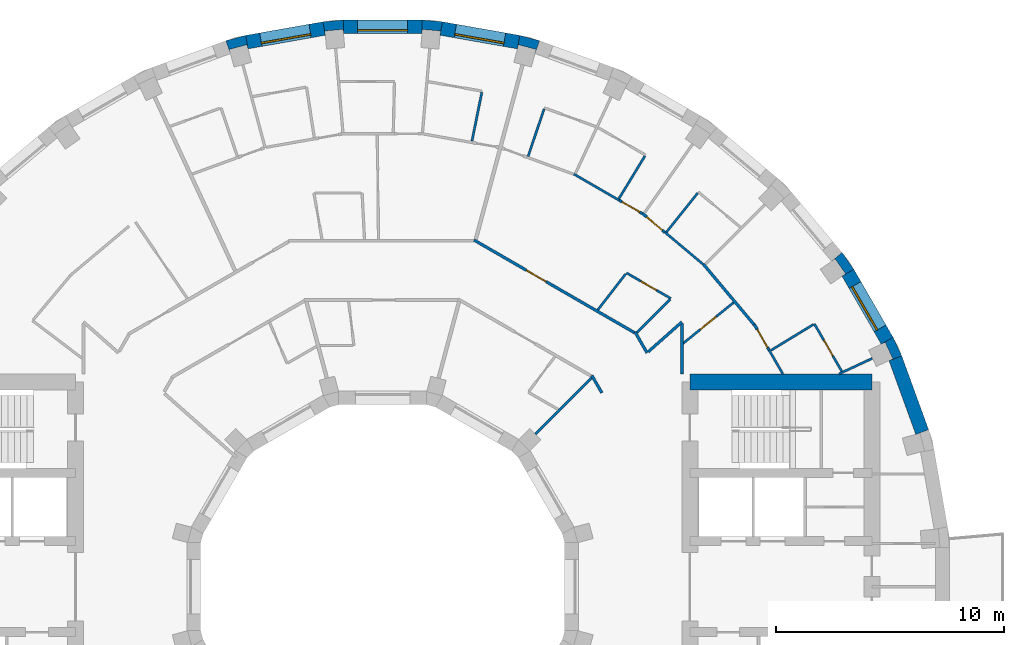
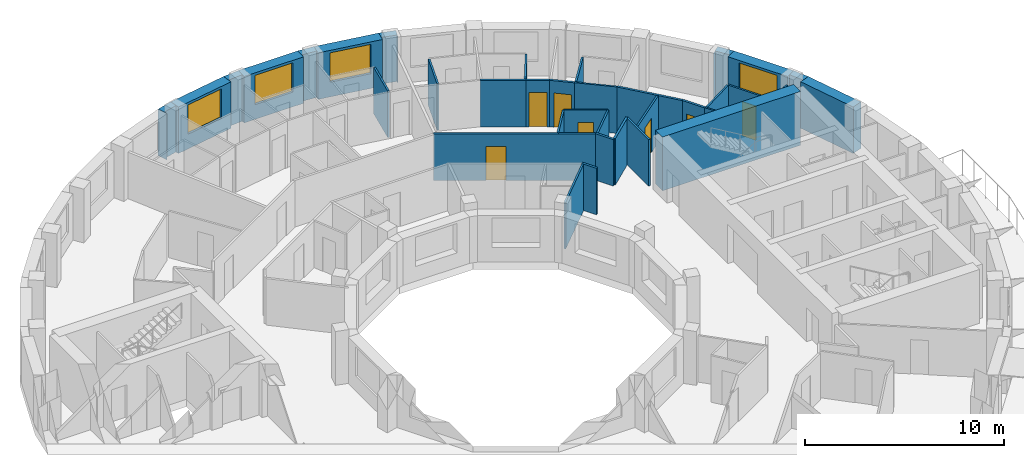
# One storey, part 12 of 14: 36 walls, 7 doors, 4 windows, 11 openings.
"""IFC4 building model written with IfcOpenShell, lengths in metres."""

from ifc_helpers import new_model, si_unit, direction, frame, frame_2d, origin, place, context, subcontext, project, spatial, polyline, rectangle, outline, extrude, material, layer, layer_set, type_object, element, fill, save


model = new_model("IFC4")

# Units and contexts
model_context = context("Model", 3, precision=1e-05, world=origin(), true_north=direction((0.0, 1.0)))
body_context = subcontext(model_context, "Body", "Model", "MODEL_VIEW")
ifc_project = project(units=[si_unit("LENGTHUNIT", "METRE"), si_unit("AREAUNIT", "SQUARE_METRE"), si_unit("VOLUMEUNIT", "CUBIC_METRE"), si_unit("PLANEANGLEUNIT", "RADIAN"), si_unit("MASSUNIT", "GRAM", prefix="KILO")], contexts=[model_context])

# Site, building, storey
site_placement = place(None, origin())
site = spatial("IfcSite", under=ifc_project, at=site_placement, CompositionType="ELEMENT")
building_placement = place(site_placement, origin())
building = spatial("IfcBuilding", under=site, at=building_placement, Name="Saqina Gate Tower", CompositionType="ELEMENT")
storey_placement = place(building_placement, frame((0.0, 0.0, 174.0)))
storey = spatial("IfcBuildingStorey", under=building, at=storey_placement, Name="L49", CompositionType="ELEMENT", Elevation=174.0)

# Walls
ifc_material_1 = material(Name="Brick masonry (buff)", Category="masonry")
wall_type_1 = type_object("IfcWallType", Name="BRICK PIER COPING BUFF", PredefinedType="SOLIDWALL", material=ifc_material_1)
wall_1_placement = place(storey_placement, origin())
element("IfcWall", 1, at=wall_1_placement, inside=storey, type_object=wall_type_1, Name="Pier cap L49 column 3", PredefinedType="SOLIDWALL", context=body_context, shape_type="SweptSolid", body=[
    extrude(outline(polyline([(22.4306640625, 10.958740234375), (21.9111328125, 10.65869140625), (22.080810546875, 10.73779296875), (22.4189453125, 10.0126953125), (22.249267578125, 9.93359375), (22.81298828125, 10.138916015625), (22.4306640625, 10.958740234375)])), origin(), (0.0, 0.0, 1.0), 2.85009765625),
])
wall_2_placement = place(storey_placement, origin())
element("IfcWall", 2, at=wall_2_placement, inside=storey, type_object=wall_type_1, Name="Pier cap L49 column 4", PredefinedType="SOLIDWALL", context=body_context, shape_type="SweptSolid", body=[
    extrude(outline(polyline([(20.705810546875, 13.9462890625), (20.18701171875, 14.687255859375), (19.727294921875, 14.301513671875), (19.880859375, 14.408935546875), (20.339599609375, 13.753662109375), (20.186279296875, 13.646240234375), (20.705810546875, 13.9462890625)])), origin(), (0.0, 0.0, 1.0), 2.85009765625),
])
wall_3_placement = place(storey_placement, origin())
element("IfcWall", 3, at=wall_3_placement, inside=storey, type_object=wall_type_1, Name="Pier cap L49 column 8", PredefinedType="SOLIDWALL", context=body_context, shape_type="SweptSolid", body=[
    extrude(outline(polyline([(6.0234375, 24.22705078125), (5.919189453125, 23.635986328125), (5.967529296875, 23.81689453125), (6.740478515625, 23.610107421875), (6.69189453125, 23.428955078125), (6.897216796875, 23.992919921875), (6.0234375, 24.22705078125)])), origin(), (0.0, 0.0, 1.0), 2.85009765625),
])
wall_4_placement = place(storey_placement, origin())
element("IfcWall", 4, at=wall_4_placement, inside=storey, type_object=wall_type_1, Name="Pier cap L49 column 9", PredefinedType="SOLIDWALL", context=body_context, shape_type="SweptSolid", body=[
    extrude(outline(polyline([(2.6259765625, 24.825927734375), (1.724853515625, 24.90478515625), (1.724853515625, 24.304931640625), (1.7412109375, 24.491455078125), (2.5380859375, 24.421630859375), (2.521728515625, 24.235107421875), (2.6259765625, 24.825927734375)])), origin(), (0.0, 0.0, 1.0), 2.85009765625),
])
wall_5_placement = place(storey_placement, origin())
element("IfcWall", 5, at=wall_5_placement, inside=storey, type_object=wall_type_1, Name="Pier cap L49 column 10", PredefinedType="SOLIDWALL", context=body_context, shape_type="SweptSolid", body=[
    extrude(outline(polyline([(-1.724853515625, 24.90478515625), (-2.6259765625, 24.825927734375), (-2.521728515625, 24.235107421875), (-2.5380859375, 24.421630859375), (-1.7412109375, 24.491455078125), (-1.724853515625, 24.304931640625), (-1.724853515625, 24.90478515625)])), origin(), (0.0, 0.0, 1.0), 2.85009765625),
])
wall_6_placement = place(storey_placement, origin())
element("IfcWall", 6, at=wall_6_placement, inside=storey, type_object=wall_type_1, Name="Pier cap L49 column 11", PredefinedType="SOLIDWALL", context=body_context, shape_type="SweptSolid", body=[
    extrude(outline(polyline([(-6.0234375, 24.22705078125), (-6.897216796875, 23.992919921875), (-6.69189453125, 23.428955078125), (-6.740478515625, 23.610107421875), (-5.967529296875, 23.81689453125), (-5.919189453125, 23.635986328125), (-6.0234375, 24.22705078125)])), origin(), (0.0, 0.0, 1.0), 2.85009765625),
])

# Wall, opening, window
ifc_material_2 = material(Name="Brick masonry (buff)", Category="masonry")
ifc_layer_1 = layer(ifc_material_2, 0.60009765625)
ifc_layer_set_1 = layer_set([ifc_layer_1], Name="FW-BRICK-BUFF")
wall_type_2 = type_object("IfcWallType", Name="FW-BRICK-BUFF", PredefinedType="SOLIDWALL", material=ifc_layer_set_1)
wall_7_placement = place(storey_placement, frame((22.1708984375, 10.80859375, 0.0), z_axis=(0.0, 0.0, 1.0), x_axis=(-0.499998129301, 0.86602648383, 0.0)))
wall_7 = element("IfcWall", 7, at=wall_7_placement, inside=storey, type_object=wall_type_2, Name="Facade wall L49 facet 3", PredefinedType="SOLIDWALL", context=body_context, shape_type="SweptSolid", body=[
    extrude(rectangle(XDim=3.44970703125, YDim=0.60009765625, at=frame_2d((1.724853515625, 0.0))), origin(), (0.0, 0.0, 1.0), 2.85009765625),
])
opening_1_placement = place(wall_7_placement, frame((0.625, 0.0, 0.89990234375)))
opening_1 = element("IfcOpeningElement", 8, at=opening_1_placement, cuts=wall_7, Name="Opening G14-W01", PredefinedType="OPENING", context=body_context, shape_type="SweptSolid", body=[
    extrude(rectangle(XDim=2.199951171875, YDim=1.800048828125, at=frame_2d((1.10009765625, 0.89990234375))), frame((0.0, 0.31201171875, 0.0), z_axis=(0.0, -1.0, 0.0), x_axis=(1.0, 0.0, 0.0)), (0.0, 0.0, 1.0), 0.6240234375),
])
ifc_material_3 = material(Name="Aluminium glazing", Category="aluminium")
window_type = type_object("IfcWindowType", Name="WN-C", PartitioningType="SINGLE_PANEL", PredefinedType="WINDOW", material=ifc_material_3)
window_1_placement = place(opening_1_placement, origin())
window_1 = element("IfcWindow", 9, at=window_1_placement, inside=storey, type_object=window_type, Name="Window L49 facet 3", OverallHeight=1.800048828125, OverallWidth=2.199951171875, PartitioningType="SINGLE_PANEL", PredefinedType="WINDOW", context=body_context, shape_type="SweptSolid", body=[
    extrude(rectangle(XDim=2.199951171875, YDim=1.800048828125, at=frame_2d((1.10009765625, 0.89990234375))), frame((0.0, 0.179931640625, 0.0), z_axis=(0.0, -1.0, 0.0), x_axis=(1.0, 0.0, 0.0)), (0.0, 0.0, 1.0), 0.06005859375),
])
fill(opening_1, window_1)

wall_8_placement = place(storey_placement, frame((5.97119140625, 23.931640625, 0.0), z_axis=(0.0, 0.0, 1.0), x_axis=(-0.984814892183, 0.173607684551, 0.0)))
wall_8 = element("IfcWall", 10, at=wall_8_placement, inside=storey, type_object=wall_type_2, Name="Facade wall L49 facet 8", PredefinedType="SOLIDWALL", context=body_context, shape_type="SweptSolid", body=[
    extrude(rectangle(XDim=3.44970703125, YDim=0.60009765625, at=frame_2d((1.724853515625, 0.0))), origin(), (0.0, 0.0, 1.0), 2.85009765625),
])
opening_2_placement = place(wall_8_placement, frame((0.625, 0.0, 0.89990234375)))
opening_2 = element("IfcOpeningElement", 11, at=opening_2_placement, cuts=wall_8, Name="Opening G14-W06", PredefinedType="OPENING", context=body_context, shape_type="SweptSolid", body=[
    extrude(rectangle(XDim=2.199951171875, YDim=1.800048828125, at=frame_2d((1.10009765625, 0.89990234375))), frame((0.0, 0.31201171875, 0.0), z_axis=(0.0, -1.0, 0.0), x_axis=(1.0, 0.0, 0.0)), (0.0, 0.0, 1.0), 0.6240234375),
])
window_2_placement = place(opening_2_placement, origin())
window_2 = element("IfcWindow", 12, at=window_2_placement, inside=storey, type_object=window_type, Name="Window L49 facet 8", OverallHeight=1.800048828125, OverallWidth=2.199951171875, PartitioningType="SINGLE_PANEL", PredefinedType="WINDOW", context=body_context, shape_type="SweptSolid", body=[
    extrude(rectangle(XDim=2.199951171875, YDim=1.800048828125, at=frame_2d((1.10009765625, 0.89990234375))), frame((0.0, 0.179931640625, 0.0), z_axis=(0.0, -1.0, 0.0), x_axis=(1.0, 0.0, 0.0)), (0.0, 0.0, 1.0), 0.06005859375),
])
fill(opening_2, window_2)

wall_9_placement = place(storey_placement, frame((1.724853515625, 24.60498046875, 0.0), z_axis=(0.0, 0.0, 1.0), x_axis=(-1.0, 0.0, 0.0)))
wall_9 = element("IfcWall", 13, at=wall_9_placement, inside=storey, type_object=wall_type_2, Name="Facade wall L49 facet 9", PredefinedType="SOLIDWALL", context=body_context, shape_type="SweptSolid", body=[
    extrude(rectangle(XDim=3.44970703125, YDim=0.60009765625, at=frame_2d((1.724853515625, 0.0))), origin(), (0.0, 0.0, 1.0), 2.85009765625),
])
opening_3_placement = place(wall_9_placement, frame((0.625, 0.0, 0.89990234375)))
opening_3 = element("IfcOpeningElement", 14, at=opening_3_placement, cuts=wall_9, Name="Opening G14-W07", PredefinedType="OPENING", context=body_context, shape_type="SweptSolid", body=[
    extrude(rectangle(XDim=2.199951171875, YDim=1.800048828125, at=frame_2d((1.10009765625, 0.89990234375))), frame((0.0, 0.31201171875, 0.0), z_axis=(0.0, -1.0, 0.0), x_axis=(1.0, 0.0, 0.0)), (0.0, 0.0, 1.0), 0.6240234375),
])
window_3_placement = place(opening_3_placement, origin())
window_3 = element("IfcWindow", 15, at=window_3_placement, inside=storey, type_object=window_type, Name="Window L49 facet 9", OverallHeight=1.800048828125, OverallWidth=2.199951171875, PartitioningType="SINGLE_PANEL", PredefinedType="WINDOW", context=body_context, shape_type="SweptSolid", body=[
    extrude(rectangle(XDim=2.199951171875, YDim=1.800048828125, at=frame_2d((1.10009765625, 0.89990234375))), frame((0.0, 0.179931640625, 0.0), z_axis=(0.0, -1.0, 0.0), x_axis=(1.0, 0.0, 0.0)), (0.0, 0.0, 1.0), 0.06005859375),
])
fill(opening_3, window_3)

wall_10_placement = place(storey_placement, frame((-2.573974609375, 24.530517578125, 0.0), z_axis=(0.0, 0.0, 1.0), x_axis=(-0.984814892183, -0.173607684551, 0.0)))
wall_10 = element("IfcWall", 16, at=wall_10_placement, inside=storey, type_object=wall_type_2, Name="Facade wall L49 facet 10", PredefinedType="SOLIDWALL", context=body_context, shape_type="SweptSolid", body=[
    extrude(rectangle(XDim=3.44970703125, YDim=0.60009765625, at=frame_2d((1.724853515625, 0.0))), origin(), (0.0, 0.0, 1.0), 2.85009765625),
])
opening_4_placement = place(wall_10_placement, frame((0.625, 0.0, 0.89990234375)))
opening_4 = element("IfcOpeningElement", 17, at=opening_4_placement, cuts=wall_10, Name="Opening G14-W08", PredefinedType="OPENING", context=body_context, shape_type="SweptSolid", body=[
    extrude(rectangle(XDim=2.199951171875, YDim=1.800048828125, at=frame_2d((1.10009765625, 0.89990234375))), frame((0.0, 0.31201171875, 0.0), z_axis=(0.0, -1.0, 0.0), x_axis=(1.0, 0.0, 0.0)), (0.0, 0.0, 1.0), 0.6240234375),
])
window_4_placement = place(opening_4_placement, origin())
window_4 = element("IfcWindow", 18, at=window_4_placement, inside=storey, type_object=window_type, Name="Window L49 facet 10", OverallHeight=1.800048828125, OverallWidth=2.199951171875, PartitioningType="SINGLE_PANEL", PredefinedType="WINDOW", context=body_context, shape_type="SweptSolid", body=[
    extrude(rectangle(XDim=2.199951171875, YDim=1.800048828125, at=frame_2d((1.10009765625, 0.89990234375))), frame((0.0, 0.179931640625, 0.0), z_axis=(0.0, -1.0, 0.0), x_axis=(1.0, 0.0, 0.0)), (0.0, 0.0, 1.0), 0.06005859375),
])
fill(opening_4, window_4)

# Walls
ifc_material_4 = material(Name="Glazed ceramic tile", Category="ceramic")
ifc_layer_2 = layer(ifc_material_4, 0.60009765625)
ifc_layer_set_2 = layer_set([ifc_layer_2], Name="FW-TILE")
wall_type_3 = type_object("IfcWallType", Name="FW-TILE", PredefinedType="SOLIDWALL", material=ifc_layer_set_2)
wall_11_placement = place(storey_placement, frame((23.7109375, 6.79443359375, 0.0), z_axis=(0.0, 0.0, 1.0), x_axis=(-0.342032843455, 0.93968799822, 0.0)))
element("IfcWall", 19, at=wall_11_placement, inside=storey, type_object=wall_type_3, Name="Facade wall L49 facet 2", PredefinedType="SOLIDWALL", context=body_context, shape_type="SweptSolid", body=[
    extrude(rectangle(XDim=3.44970703125, YDim=0.60009765625, at=frame_2d((1.724853515625, 0.0))), origin(), (0.0, 0.0, 1.0), 2.85009765625),
])
ifc_material_5 = material(Name="Gypsum board on steel studs, 100 mm", Category="steel")
ifc_layer_3 = layer(ifc_material_5, 0.10009765625)
ifc_layer_set_3 = layer_set([ifc_layer_3], Name="PARTITION 100")
wall_type_4 = type_object("IfcWallType", Name="PARTITION 100", PredefinedType="PARTITIONING", material=ifc_layer_set_3)
wall_12_placement = place(storey_placement, frame((16.9814453125, 10.397216796875, 0.0), z_axis=(0.0, 0.0, 1.0), x_axis=(0.499961335607, -0.866047725532, 0.0)))
element("IfcWall", 20, at=wall_12_placement, inside=storey, type_object=wall_type_4, Name="PARTITION PW3-22", PredefinedType="PARTITIONING", context=body_context, shape_type="SweptSolid", body=[
    extrude(rectangle(XDim=1.208984375, YDim=0.10009765625, at=frame_2d((0.6044921875, 0.0))), origin(), (0.0, 0.0, 1.0), 2.85009765625),
])

# Wall, opening, door
wall_13_placement = place(storey_placement, frame((18.971923828125, 11.550048828125, 0.0), z_axis=(0.0, 0.0, 1.0), x_axis=(0.499628829129, -0.866239593359, 0.0)))
wall_13 = element("IfcWall", 21, at=wall_13_placement, inside=storey, type_object=wall_type_4, Name="PARTITION PW3-23", PredefinedType="PARTITIONING", context=body_context, shape_type="SweptSolid", body=[
    extrude(rectangle(XDim=2.407958984375, YDim=0.10009765625, at=frame_2d((1.2041015625, 0.0))), origin(), (0.0, 0.0, 1.0), 2.85009765625),
])
opening_5_placement = place(wall_13_placement, frame((0.830078125, 0.0, 0.0)))
opening_5 = element("IfcOpeningElement", 22, at=opening_5_placement, cuts=wall_13, Name="Opening G14-D01", PredefinedType="OPENING", context=body_context, shape_type="SweptSolid", body=[
    extrude(rectangle(XDim=0.800048828125, YDim=2.10009765625, at=frame_2d((0.39990234375, 1.050048828125))), frame((0.0, 0.06201171875, 0.0), z_axis=(0.0, -1.0, 0.0), x_axis=(1.0, 0.0, 0.0)), (0.0, 0.0, 1.0), 0.1240234375),
])
ifc_material_6 = material(Name="Timber door leaf, 800 mm", Category="wood")
door_type_1 = type_object("IfcDoorType", Name="DOOR 800 TIMBER", OperationType="SINGLE_SWING_LEFT", PredefinedType="DOOR", material=ifc_material_6)
door_1_placement = place(opening_5_placement, origin())
door_1 = element("IfcDoor", 23, at=door_1_placement, inside=storey, type_object=door_type_1, Name="DOOR G14-D01", OperationType="SINGLE_SWING_RIGHT", OverallHeight=2.10009765625, OverallWidth=0.800048828125, PredefinedType="DOOR", context=body_context, shape_type="SweptSolid", body=[
    extrude(rectangle(XDim=0.800048828125, YDim=2.10009765625, at=frame_2d((0.39990234375, 1.050048828125))), frame((0.0, 0.02490234375, 0.0), z_axis=(0.0, -1.0, 0.0), x_axis=(1.0, 0.0, 0.0)), (0.0, 0.0, 1.0), 0.050048828125),
])
fill(opening_5, door_1)

# Walls
wall_14_placement = place(storey_placement, frame((12.4013671875, 15.577880859375, 0.0), z_axis=(0.0, 0.0, 1.0), x_axis=(0.766209231034, -0.642591171958, 0.0)))
element("IfcWall", 24, at=wall_14_placement, inside=storey, type_object=wall_type_4, Name="PARTITION PW3-30", PredefinedType="PARTITIONING", context=body_context, shape_type="SweptSolid", body=[
    extrude(rectangle(XDim=2.192138671875, YDim=0.10009765625, at=frame_2d((1.09619140625, 0.0))), origin(), (0.0, 0.0, 1.0), 2.85009765625),
])
wall_15_placement = place(storey_placement, frame((8.400146484375, 18.134521484375, 0.0), z_axis=(0.0, 0.0, 1.0), x_axis=(0.86526186487, -0.501320162373, 0.0)))
element("IfcWall", 25, at=wall_15_placement, inside=storey, type_object=wall_type_4, Name="PARTITION PW3-35", PredefinedType="PARTITIONING", context=body_context, shape_type="SweptSolid", body=[
    extrude(rectangle(XDim=2.304931640625, YDim=0.10009765625, at=frame_2d((1.15234375, 0.0))), origin(), (0.0, 0.0, 1.0), 2.85009765625),
])

# Wall, opening, door
wall_16_placement = place(storey_placement, frame((10.714111328125, 13.7900390625, 0.0), z_axis=(0.0, 0.0, 1.0), x_axis=(0.865992377614, -0.500057198642, 0.0)))
wall_16 = element("IfcWall", 26, at=wall_16_placement, inside=storey, type_object=wall_type_4, Name="PARTITION PW3-40", PredefinedType="PARTITIONING", context=body_context, shape_type="SweptSolid", body=[
    extrude(rectangle(XDim=2.251708984375, YDim=0.10009765625, at=frame_2d((1.1259765625, 0.0))), origin(), (0.0, 0.0, 1.0), 2.85009765625),
])
opening_6_placement = place(wall_16_placement, frame((0.725830078125, 0.0, 0.0)))
opening_6 = element("IfcOpeningElement", 27, at=opening_6_placement, cuts=wall_16, Name="Opening G14-D05", PredefinedType="OPENING", context=body_context, shape_type="SweptSolid", body=[
    extrude(rectangle(XDim=0.800048828125, YDim=2.10009765625, at=frame_2d((0.39990234375, 1.050048828125))), frame((0.0, 0.06201171875, 0.0), z_axis=(0.0, -1.0, 0.0), x_axis=(1.0, 0.0, 0.0)), (0.0, 0.0, 1.0), 0.1240234375),
])
door_2_placement = place(opening_6_placement, origin())
door_2 = element("IfcDoor", 28, at=door_2_placement, inside=storey, type_object=door_type_1, Name="DOOR G14-D05", OperationType="SINGLE_SWING_RIGHT", OverallHeight=2.10009765625, OverallWidth=0.800048828125, PredefinedType="DOOR", context=body_context, shape_type="SweptSolid", body=[
    extrude(rectangle(XDim=0.800048828125, YDim=2.10009765625, at=frame_2d((0.39990234375, 1.050048828125))), frame((0.0, 0.02490234375, 0.0), z_axis=(0.0, -1.0, 0.0), x_axis=(1.0, 0.0, 0.0)), (0.0, 0.0, 1.0), 0.050048828125),
])
fill(opening_6, door_2)

# Walls
wall_17_placement = place(storey_placement, frame((20.051025390625, 9.35009765625, 0.0), z_axis=(0.0, 0.0, 1.0), x_axis=(0.90621401133, 0.42281930617, 0.0)))
element("IfcWall", 29, at=wall_17_placement, inside=storey, type_object=wall_type_4, Name="PARTITION PW3-66", PredefinedType="PARTITIONING", context=body_context, shape_type="SweptSolid", body=[
    extrude(rectangle(XDim=1.6162109375, YDim=0.10009765625, at=frame_2d((0.80810546875, 0.0))), origin(), (0.0, 0.0, 1.0), 2.85009765625),
])
wall_18_placement = place(storey_placement, frame((17.060302734375, 10.385498046875, 0.0), z_axis=(0.0, 0.0, 1.0), x_axis=(0.854045436393, 0.520198416545, 0.0)))
element("IfcWall", 30, at=wall_18_placement, inside=storey, type_object=wall_type_4, Name="PARTITION PW3-72", PredefinedType="PARTITIONING", context=body_context, shape_type="SweptSolid", body=[
    extrude(rectangle(XDim=2.1865234375, YDim=0.10009765625, at=frame_2d((1.09326171875, 0.0))), origin(), (0.0, 0.0, 1.0), 2.85009765625),
])

# Wall, opening, door
wall_19_placement = place(storey_placement, frame((13.198486328125, 10.688232421875, 0.0), z_axis=(0.0, 0.0, 1.0), x_axis=(0.777201155745, 0.629252225669, 0.0)))
wall_19 = element("IfcWall", 31, at=wall_19_placement, inside=storey, type_object=wall_type_4, Name="PARTITION PW3-75", PredefinedType="PARTITIONING", context=body_context, shape_type="SweptSolid", body=[
    extrude(rectangle(XDim=2.861328125, YDim=0.10009765625, at=frame_2d((1.4306640625, 0.0))), origin(), (0.0, 0.0, 1.0), 2.85009765625),
])
opening_7_placement = place(wall_19_placement, frame((0.980712890625, 0.0, 0.0)))
opening_7 = element("IfcOpeningElement", 32, at=opening_7_placement, cuts=wall_19, Name="Opening G14-D03", PredefinedType="OPENING", context=body_context, shape_type="SweptSolid", body=[
    extrude(rectangle(XDim=0.89990234375, YDim=2.10009765625, at=frame_2d((0.449951171875, 1.050048828125))), frame((0.0, 0.06201171875, 0.0), z_axis=(0.0, -1.0, 0.0), x_axis=(1.0, 0.0, 0.0)), (0.0, 0.0, 1.0), 0.1240234375),
])
ifc_material_7 = material(Name="Timber door leaf, 900 mm", Category="wood")
door_type_2 = type_object("IfcDoorType", Name="DOOR 900 TIMBER", OperationType="SINGLE_SWING_LEFT", PredefinedType="DOOR", material=ifc_material_7)
door_3_placement = place(opening_7_placement, origin())
door_3 = element("IfcDoor", 33, at=door_3_placement, inside=storey, type_object=door_type_2, Name="DOOR G14-D03", OperationType="SINGLE_SWING_LEFT", OverallHeight=2.10009765625, OverallWidth=0.89990234375, PredefinedType="DOOR", context=body_context, shape_type="SweptSolid", body=[
    extrude(rectangle(XDim=0.89990234375, YDim=2.10009765625, at=frame_2d((0.449951171875, 1.050048828125))), frame((0.0, 0.02490234375, 0.0), z_axis=(0.0, -1.0, 0.0), x_axis=(1.0, 0.0, 0.0)), (0.0, 0.0, 1.0), 0.050048828125),
])
fill(opening_7, door_3)

# Walls
wall_20_placement = place(storey_placement, frame((6.7119140625, 6.7119140625, 0.0), z_axis=(0.0, 0.0, 1.0), x_axis=(0.707106781187, 0.707106781187, 0.0)))
element("IfcWall", 34, at=wall_20_placement, inside=storey, type_object=wall_type_4, Name="PARTITION PW3-79", PredefinedType="PARTITIONING", context=body_context, shape_type="SweptSolid", body=[
    extrude(rectangle(XDim=3.489990234375, YDim=0.10009765625, at=frame_2d((1.7451171875, 0.0))), origin(), (0.0, 0.0, 1.0), 2.85009765625),
])
wall_21_placement = place(storey_placement, frame((11.171142578125, 11.171142578125, 0.0), z_axis=(0.0, 0.0, 1.0), x_axis=(0.707106781187, 0.707106781187, 0.0)))
element("IfcWall", 35, at=wall_21_placement, inside=storey, type_object=wall_type_4, Name="PARTITION PW3-80", PredefinedType="PARTITIONING", context=body_context, shape_type="SweptSolid", body=[
    extrude(rectangle(XDim=2.061279296875, YDim=0.10009765625, at=frame_2d((1.03076171875, 0.0))), origin(), (0.0, 0.0, 1.0), 2.85009765625),
])
wall_22_placement = place(storey_placement, frame((12.47119140625, 15.5849609375, 0.0), z_axis=(0.0, 0.0, 1.0), x_axis=(0.624722111344, 0.780847157642, 0.0)))
element("IfcWall", 36, at=wall_22_placement, inside=storey, type_object=wall_type_4, Name="PARTITION PW3-85", PredefinedType="PARTITIONING", context=body_context, shape_type="SweptSolid", body=[
    extrude(rectangle(XDim=2.2001953125, YDim=0.10009765625, at=frame_2d((1.10009765625, 0.0))), origin(), (0.0, 0.0, 1.0), 2.85009765625),
])
wall_23_placement = place(storey_placement, frame((9.452392578125, 12.16552734375, 0.0), z_axis=(0.0, 0.0, 1.0), x_axis=(0.613384591442, 0.789784364863, 0.0)))
element("IfcWall", 37, at=wall_23_placement, inside=storey, type_object=wall_type_4, Name="PARTITION PW3-86", PredefinedType="PARTITIONING", context=body_context, shape_type="SweptSolid", body=[
    extrude(rectangle(XDim=2.0068359375, YDim=0.10009765625, at=frame_2d((1.00341796875, 0.0))), origin(), (0.0, 0.0, 1.0), 2.85009765625),
])
wall_24_placement = place(storey_placement, frame((10.37890625, 17.0498046875, 0.0), z_axis=(0.0, 0.0, 1.0), x_axis=(0.520291802012, 0.853988548377, 0.0)))
element("IfcWall", 38, at=wall_24_placement, inside=storey, type_object=wall_type_4, Name="PARTITION PW3-92", PredefinedType="PARTITIONING", context=body_context, shape_type="SweptSolid", body=[
    extrude(rectangle(XDim=2.20068359375, YDim=0.10009765625, at=frame_2d((1.100341796875, 0.0))), origin(), (0.0, 0.0, 1.0), 2.85009765625),
])
wall_25_placement = place(storey_placement, frame((6.388916015625, 18.910400390625, 0.0), z_axis=(0.0, 0.0, 1.0), x_axis=(0.320053851591, 0.947399351953, 0.0)))
element("IfcWall", 39, at=wall_25_placement, inside=storey, type_object=wall_type_4, Name="PARTITION PW3-97", PredefinedType="PARTITIONING", context=body_context, shape_type="SweptSolid", body=[
    extrude(rectangle(XDim=2.199951171875, YDim=0.10009765625, at=frame_2d((1.10009765625, 0.0))), origin(), (0.0, 0.0, 1.0), 2.85009765625),
])
wall_26_placement = place(storey_placement, frame((3.92431640625, 19.583251953125, 0.0), z_axis=(0.0, 0.0, 1.0), x_axis=(0.196888353759, 0.980425915689, 0.0)))
element("IfcWall", 40, at=wall_26_placement, inside=storey, type_object=wall_type_4, Name="PARTITION PW3-99", PredefinedType="PARTITIONING", context=body_context, shape_type="SweptSolid", body=[
    extrude(rectangle(XDim=2.1884765625, YDim=0.10009765625, at=frame_2d((1.09423828125, 0.0))), origin(), (0.0, 0.0, 1.0), 2.85009765625),
])
ifc_material_8 = material(Name="Gypsum board on steel studs, 125 mm, fire rated", Category="steel")
ifc_layer_4 = layer(ifc_material_8, 0.125)
ifc_layer_set_4 = layer_set([ifc_layer_4], Name="PARTITION EI 30 125")
wall_type_5 = type_object("IfcWallType", Name="PARTITION EI 30 125", PredefinedType="PARTITIONING", material=ifc_layer_set_4)
wall_27_placement = place(storey_placement, frame((9.18798828125, 9.28662109375, 0.0), z_axis=(0.0, 0.0, 1.0), x_axis=(0.499403939877, -0.866369265865, 0.0)))
element("IfcWall", 41, at=wall_27_placement, inside=storey, type_object=wall_type_5, Name="PARTITION PW1-04", PredefinedType="PARTITIONING", context=body_context, shape_type="SweptSolid", body=[
    extrude(rectangle(XDim=0.884765625, YDim=0.125, at=frame_2d((0.4423828125, 0.0))), origin(), (0.0, 0.0, 1.0), 2.85009765625),
])
wall_28_placement = place(storey_placement, frame((11.0908203125, 11.189453125, 0.0), z_axis=(0.0, 0.0, 1.0), x_axis=(0.499956751108, -0.866050372104, 0.0)))
element("IfcWall", 42, at=wall_28_placement, inside=storey, type_object=wall_type_5, Name="PARTITION PW1-05", PredefinedType="PARTITIONING", context=body_context, shape_type="SweptSolid", body=[
    extrude(rectangle(XDim=1.05224609375, YDim=0.125, at=frame_2d((0.526123046875, 0.0))), origin(), (0.0, 0.0, 1.0), 2.85009765625),
])

# Wall, opening, door
wall_29_placement = place(storey_placement, frame((16.333984375, 11.518310546875, 0.0), z_axis=(0.0, 0.0, 1.0), x_axis=(0.499972779981, -0.866041118699, 0.0)))
wall_29 = element("IfcWall", 43, at=wall_29_placement, inside=storey, type_object=wall_type_5, Name="PARTITION PW1-06", PredefinedType="PARTITIONING", context=body_context, shape_type="SweptSolid", body=[
    extrude(rectangle(XDim=1.29443359375, YDim=0.125, at=frame_2d((0.647216796875, 0.0))), origin(), (0.0, 0.0, 1.0), 2.85009765625),
])
opening_8_placement = place(wall_29_placement, frame((0.255126953125, 0.0, 0.0)))
opening_8 = element("IfcOpeningElement", 44, at=opening_8_placement, cuts=wall_29, Name="Opening G14-D02", PredefinedType="OPENING", context=body_context, shape_type="SweptSolid", body=[
    extrude(rectangle(XDim=0.89990234375, YDim=2.10009765625, at=frame_2d((0.449951171875, 1.050048828125))), frame((0.0, 0.074462890625, 0.0), z_axis=(0.0, -1.0, 0.0), x_axis=(1.0, 0.0, 0.0)), (0.0, 0.0, 1.0), 0.14892578125),
])
ifc_material_9 = material(Name="Fire door leaf EI 30, 900 mm")
door_type_3 = type_object("IfcDoorType", Name="DOOR 900 EI 30", OperationType="SINGLE_SWING_LEFT", PredefinedType="DOOR", material=ifc_material_9)
door_4_placement = place(opening_8_placement, origin())
door_4 = element("IfcDoor", 45, at=door_4_placement, inside=storey, type_object=door_type_3, Name="DOOR G14-D02", OperationType="SINGLE_SWING_RIGHT", OverallHeight=2.10009765625, OverallWidth=0.89990234375, PredefinedType="DOOR", context=body_context, shape_type="SweptSolid", body=[
    extrude(rectangle(XDim=0.89990234375, YDim=2.10009765625, at=frame_2d((0.449951171875, 1.050048828125))), frame((0.0, 0.02490234375, 0.0), z_axis=(0.0, -1.0, 0.0), x_axis=(1.0, 0.0, 0.0)), (0.0, 0.0, 1.0), 0.050048828125),
])
fill(opening_8, door_4)

# Wall
wall_30_placement = place(storey_placement, frame((14.088134765625, 14.177734375, 0.0), z_axis=(0.0, 0.0, 1.0), x_axis=(0.642836709366, -0.766003240915, 0.0)))
element("IfcWall", 46, at=wall_30_placement, inside=storey, type_object=wall_type_5, Name="PARTITION PW1-09", PredefinedType="PARTITIONING", context=body_context, shape_type="SweptSolid", body=[
    extrude(rectangle(XDim=3.480712890625, YDim=0.125, at=frame_2d((1.740234375, 0.0))), origin(), (0.0, 0.0, 1.0), 2.85009765625),
])

# Wall, opening, door
wall_31_placement = place(storey_placement, frame((11.41259765625, 16.407958984375, 0.0), z_axis=(0.0, 0.0, 1.0), x_axis=(0.763379112729, -0.645950718128, 0.0)))
wall_31 = element("IfcWall", 47, at=wall_31_placement, inside=storey, type_object=wall_type_5, Name="PARTITION PW1-14", PredefinedType="PARTITIONING", context=body_context, shape_type="SweptSolid", body=[
    extrude(rectangle(XDim=1.291015625, YDim=0.125, at=frame_2d((0.6455078125, 0.0))), origin(), (0.0, 0.0, 1.0), 2.85009765625),
])
opening_9_placement = place(wall_31_placement, frame((0.252197265625, 0.0, 0.0)))
opening_9 = element("IfcOpeningElement", 48, at=opening_9_placement, cuts=wall_31, Name="Opening G14-D07", PredefinedType="OPENING", context=body_context, shape_type="SweptSolid", body=[
    extrude(rectangle(XDim=0.89990234375, YDim=2.10009765625, at=frame_2d((0.449951171875, 1.050048828125))), frame((0.0, 0.074462890625, 0.0), z_axis=(0.0, -1.0, 0.0), x_axis=(1.0, 0.0, 0.0)), (0.0, 0.0, 1.0), 0.14892578125),
])
door_5_placement = place(opening_9_placement, frame((0.89990234375, 0.0, 0.0), z_axis=(0.0, 0.0, 1.0), x_axis=(-1.0, 0.0, 0.0)))
door_5 = element("IfcDoor", 49, at=door_5_placement, inside=storey, type_object=door_type_3, Name="DOOR G14-D07", OperationType="SINGLE_SWING_RIGHT", OverallHeight=2.10009765625, OverallWidth=0.89990234375, PredefinedType="DOOR", context=body_context, shape_type="SweptSolid", body=[
    extrude(rectangle(XDim=0.89990234375, YDim=2.10009765625, at=frame_2d((0.449951171875, 1.050048828125))), frame((0.0, 0.02490234375, 0.0), z_axis=(0.0, -1.0, 0.0), x_axis=(1.0, 0.0, 0.0)), (0.0, 0.0, 1.0), 0.050048828125),
])
fill(opening_9, door_5)

wall_32_placement = place(storey_placement, frame((4.010498046875, 15.236083984375, 0.0), z_axis=(0.0, 0.0, 1.0), x_axis=(0.865999621737, -0.500044653157, 0.0)))
wall_32 = element("IfcWall", 50, at=wall_32_placement, inside=storey, type_object=wall_type_5, Name="PARTITION PW1-20", PredefinedType="PARTITIONING", context=body_context, shape_type="SweptSolid", body=[
    extrude(rectangle(XDim=8.155029296875, YDim=0.125, at=frame_2d((4.07763671875, 0.0))), origin(), (0.0, 0.0, 1.0), 2.85009765625),
])
opening_10_placement = place(wall_32_placement, frame((2.656005859375, 0.0, 0.0)))
opening_10 = element("IfcOpeningElement", 51, at=opening_10_placement, cuts=wall_32, Name="Opening G14-D11", PredefinedType="OPENING", context=body_context, shape_type="SweptSolid", body=[
    extrude(rectangle(XDim=1.0, YDim=2.10009765625, at=frame_2d((0.5, 1.050048828125))), frame((0.0, 0.074462890625, 0.0), z_axis=(0.0, -1.0, 0.0), x_axis=(1.0, 0.0, 0.0)), (0.0, 0.0, 1.0), 0.14892578125),
])
ifc_material_10 = material(Name="Fire door leaf EI 30, 1000 mm")
door_type_4 = type_object("IfcDoorType", Name="DOOR 1000 EI 30", OperationType="SINGLE_SWING_LEFT", PredefinedType="DOOR", material=ifc_material_10)
door_6_placement = place(opening_10_placement, origin())
door_6 = element("IfcDoor", 52, at=door_6_placement, inside=storey, type_object=door_type_4, Name="DOOR G14-D11", OperationType="SINGLE_SWING_LEFT", OverallHeight=2.10009765625, OverallWidth=1.0, PredefinedType="DOOR", context=body_context, shape_type="SweptSolid", body=[
    extrude(rectangle(XDim=1.0, YDim=2.10009765625, at=frame_2d((0.5, 1.050048828125))), frame((0.0, 0.02490234375, 0.0), z_axis=(0.0, -1.0, 0.0), x_axis=(1.0, 0.0, 0.0)), (0.0, 0.0, 1.0), 0.050048828125),
])
fill(opening_10, door_6)

wall_33_placement = place(storey_placement, frame((10.396240234375, 16.98193359375, 0.0), z_axis=(0.0, 0.0, 1.0), x_axis=(0.865955664968, -0.500120771724, 0.0)))
wall_33 = element("IfcWall", 53, at=wall_33_placement, inside=storey, type_object=wall_type_5, Name="PARTITION PW1-21", PredefinedType="PARTITIONING", context=body_context, shape_type="SweptSolid", body=[
    extrude(rectangle(XDim=1.167236328125, YDim=0.125, at=frame_2d((0.58349609375, 0.0))), origin(), (0.0, 0.0, 1.0), 2.85009765625),
])
opening_11_placement = place(wall_33_placement, frame((0.139892578125, 0.0, 0.0)))
opening_11 = element("IfcOpeningElement", 54, at=opening_11_placement, cuts=wall_33, Name="Opening G14-D08", PredefinedType="OPENING", context=body_context, shape_type="SweptSolid", body=[
    extrude(rectangle(XDim=0.89990234375, YDim=2.10009765625, at=frame_2d((0.449951171875, 1.050048828125))), frame((0.0, 0.074462890625, 0.0), z_axis=(0.0, -1.0, 0.0), x_axis=(1.0, 0.0, 0.0)), (0.0, 0.0, 1.0), 0.14892578125),
])
door_7_placement = place(opening_11_placement, frame((0.89990234375, 0.0, 0.0), z_axis=(0.0, 0.0, 1.0), x_axis=(-1.0, 0.0, 0.0)))
door_7 = element("IfcDoor", 55, at=door_7_placement, inside=storey, type_object=door_type_3, Name="DOOR G14-D08", OperationType="SINGLE_SWING_LEFT", OverallHeight=2.10009765625, OverallWidth=0.89990234375, PredefinedType="DOOR", context=body_context, shape_type="SweptSolid", body=[
    extrude(rectangle(XDim=0.89990234375, YDim=2.10009765625, at=frame_2d((0.449951171875, 1.050048828125))), frame((0.0, 0.02490234375, 0.0), z_axis=(0.0, -1.0, 0.0), x_axis=(1.0, 0.0, 0.0)), (0.0, 0.0, 1.0), 0.050048828125),
])
fill(opening_11, door_7)

# Walls
wall_34_placement = place(storey_placement, frame((11.663818359375, 10.3193359375, 0.0), z_axis=(0.0, 0.0, 1.0), x_axis=(0.748975424904, 0.662597776098, 0.0)))
element("IfcWall", 56, at=wall_34_placement, inside=storey, type_object=wall_type_5, Name="PARTITION PW1-44", PredefinedType="PARTITIONING", context=body_context, shape_type="SweptSolid", body=[
    extrude(rectangle(XDim=1.984130859375, YDim=0.125, at=frame_2d((0.9921875, 0.0))), origin(), (0.0, 0.0, 1.0), 2.85009765625),
])
wall_35_placement = place(storey_placement, frame((13.14990234375, 9.35009765625, 0.0), z_axis=(0.0, 0.0, 1.0), x_axis=(0.0, 1.0, 0.0)))
element("IfcWall", 57, at=wall_35_placement, inside=storey, type_object=wall_type_5, Name="PARTITION PW1-50", PredefinedType="PARTITIONING", context=body_context, shape_type="SweptSolid", body=[
    extrude(rectangle(XDim=2.221435546875, YDim=0.125, at=frame_2d((1.11083984375, 0.0))), origin(), (0.0, 0.0, 1.0), 2.85009765625),
])
ifc_material_11 = material(Name="Concrete C60/75", Category="concrete")
ifc_layer_5 = layer(ifc_material_11, 0.699951171875)
ifc_layer_set_5 = layer_set([ifc_layer_5], Name="Concrete C60/75")
wall_type_6 = type_object("IfcWallType", Name="STR-CORE WALL-C-O", PredefinedType="SHEAR", material=ifc_layer_set_5)
wall_36_placement = place(storey_placement, frame((13.5, 9.0, 0.0), z_axis=(0.0, 0.0, 1.0), x_axis=(1.0, 0.0, 0.0)))
element("IfcWall", 58, at=wall_36_placement, inside=storey, type_object=wall_type_6, Name="CORE WALL L49 E-NE", PredefinedType="SHEAR", context=body_context, shape_type="SweptSolid", body=[
    extrude(rectangle(XDim=8.0, YDim=0.699951171875, at=frame_2d((4.0, 0.0))), origin(), (0.0, 0.0, 1.0), 3.300048828125),
])

save(model, "model.ifc")
